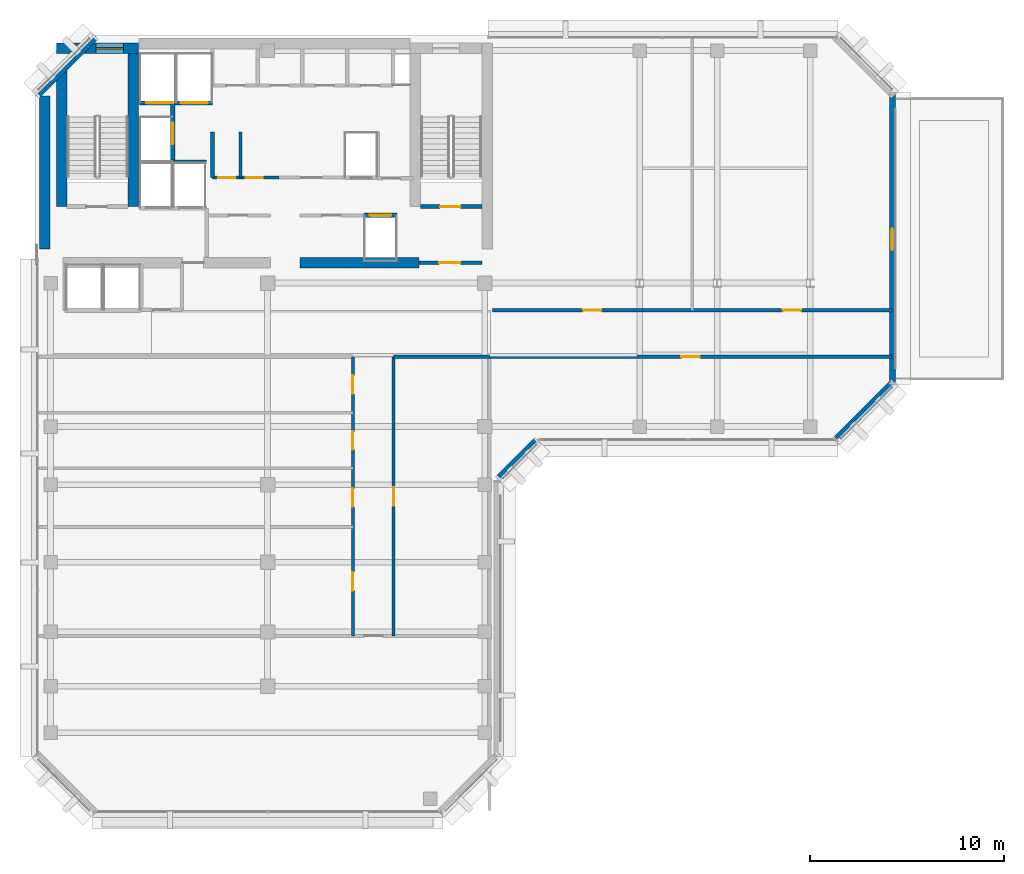
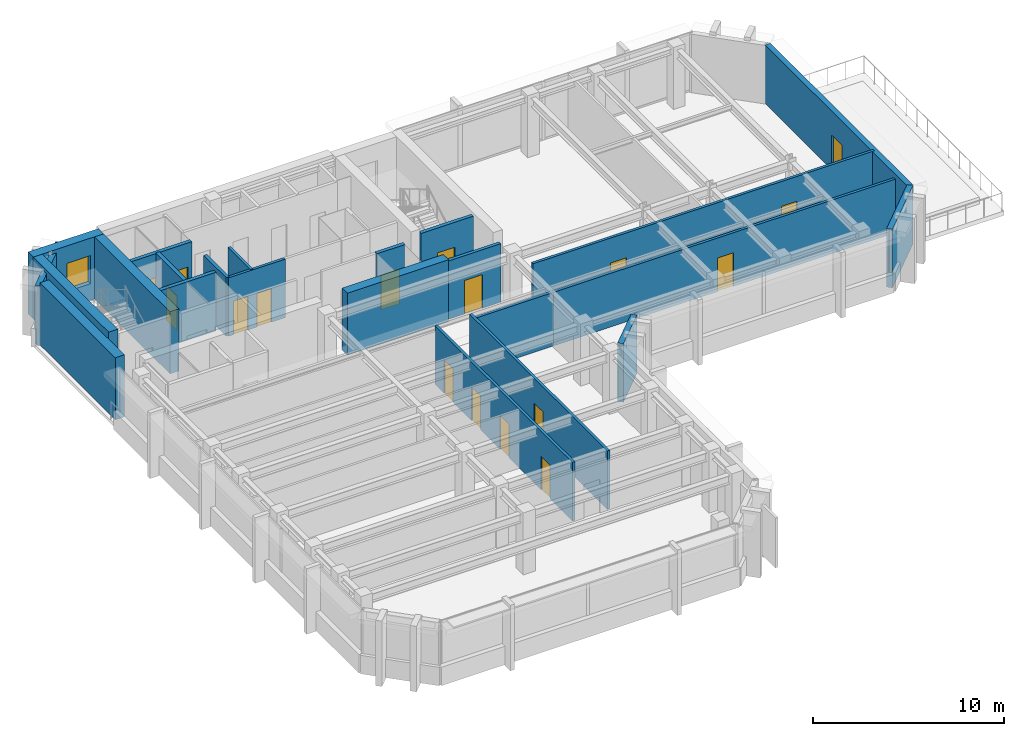
# One storey, part 6 of 11: 23 walls, 17 doors, 1 window, 18 openings.
"""IFC4 building model written with IfcOpenShell, lengths in metres."""

from ifc_helpers import new_model, si_unit, direction, frame, frame_2d, origin, place, context, subcontext, project, spatial, rectangle, extrude, material, layer, layer_set, type_object, element, fill, save


model = new_model("IFC4")

# Units and contexts
model_context = context("Model", 3, precision=1e-05, world=origin(), true_north=direction((0.0, 1.0)))
body_context = subcontext(model_context, "Body", "Model", "MODEL_VIEW")
ifc_project = project(units=[si_unit("LENGTHUNIT", "METRE"), si_unit("AREAUNIT", "SQUARE_METRE"), si_unit("VOLUMEUNIT", "CUBIC_METRE"), si_unit("PLANEANGLEUNIT", "RADIAN"), si_unit("MASSUNIT", "GRAM", prefix="KILO")], contexts=[model_context])

# Site, building, storey
site_placement = place(None, origin())
site = spatial("IfcSite", under=ifc_project, at=site_placement, CompositionType="ELEMENT")
building_placement = place(site_placement, origin())
building = spatial("IfcBuilding", under=site, at=building_placement, Name="Kefirva Bronze Tower", CompositionType="ELEMENT")
storey_placement = place(building_placement, frame((0.0, 0.0, 272.25)))
storey = spatial("IfcBuildingStorey", under=building, at=storey_placement, Name="L66", CompositionType="ELEMENT", Elevation=272.25)

# Wall, opening, door
ifc_material_1 = material(Name="Gypsum fireboard shaftwall")
ifc_layer_1 = layer(ifc_material_1, 0.219970703125, Name="Gypsum fireboard shaftwall")
ifc_layer_set_1 = layer_set([ifc_layer_1], Name="Gypsum fireboard shaftwall")
wall_type_1 = type_object("IfcWallType", Name="Fire-Rated Shaft Enclosure Wall 220mm", PredefinedType="PARTITIONING", material=ifc_layer_set_1)
wall_1_placement = place(storey_placement, frame((19.89990234375, 37.14990234375, 0.0), z_axis=(0.0, 0.0, 1.0), x_axis=(1.0, 0.0, 0.0)))
wall_1 = element("IfcWall", 1, at=wall_1_placement, inside=storey, type_object=wall_type_1, Name="L66 Partition W-L66-ST2S", PredefinedType="PARTITIONING", context=body_context, shape_type="SweptSolid", body=[
    extrude(rectangle(XDim=3.150146484375, YDim=0.219970703125, at=frame_2d((1.5751953125, 0.0))), origin(), (0.0, 0.0, 1.0), 3.739990234375),
])
opening_1_placement = place(wall_1_placement, frame((2.050048828125, 0.0, 0.0), z_axis=(0.0, 0.0, 1.0), x_axis=(-1.0, 0.0, 0.0)))
opening_1 = element("IfcOpeningElement", 2, at=opening_1_placement, cuts=wall_1, Name="Opening L66-D003", PredefinedType="OPENING", context=body_context, shape_type="SweptSolid", body=[
    extrude(rectangle(XDim=1.050048828125, YDim=2.14990234375, at=frame_2d((0.52490234375, 1.074951171875))), frame((0.0, 0.1201171875, 0.0), z_axis=(0.0, -1.0, 0.0), x_axis=(1.0, 0.0, 0.0)), (0.0, 0.0, 1.0), 0.239990234375),
])
ifc_material_2 = material(Name="Painted galvanized steel", Category="steel")
door_type_1 = type_object("IfcDoorType", Name="Fire Stair Enclosure Door 1050x2150 FD90S", OperationType="NOTDEFINED", PredefinedType="DOOR", material=ifc_material_2)
door_1_placement = place(opening_1_placement, origin())
door_1 = element("IfcDoor", 3, at=door_1_placement, inside=storey, type_object=door_type_1, Name="Door L66-D003", OperationType="SINGLE_SWING_RIGHT", OverallHeight=2.14990234375, OverallWidth=1.050048828125, PredefinedType="DOOR", context=body_context, shape_type="SweptSolid", body=[
    extrude(rectangle(XDim=1.050048828125, YDim=2.14990234375, at=frame_2d((0.52490234375, 1.074951171875))), frame((0.0, 0.02490234375, 0.0), z_axis=(0.0, -1.0, 0.0), x_axis=(1.0, 0.0, 0.0)), (0.0, 0.0, 1.0), 0.050048828125),
])
fill(opening_1, door_1)

# Wall
wall_2_placement = place(storey_placement, frame((5.3798828125, 39.449951171875, 0.0), z_axis=(0.0, 0.0, 1.0), x_axis=(1.0, 0.0, 0.0)))
element("IfcWall", 4, at=wall_2_placement, inside=storey, type_object=wall_type_1, Name="L66 Partition W-L66-FFN", PredefinedType="PARTITIONING", context=body_context, shape_type="SweptSolid", body=[
    extrude(rectangle(XDim=3.460205078125, YDim=0.219970703125, at=frame_2d((1.72998046875, 0.0))), origin(), (0.0, 0.0, 1.0), 3.739990234375),
])

# Wall, openings, doors
wall_3_placement = place(storey_placement, frame((5.3798828125, 42.5, 0.0), z_axis=(0.0, 0.0, 1.0), x_axis=(1.0, 0.0, 0.0)))
wall_3 = element("IfcWall", 5, at=wall_3_placement, inside=storey, type_object=wall_type_1, Name="L66 Partition W-L66-SVS", PredefinedType="PARTITIONING", context=body_context, shape_type="SweptSolid", body=[
    extrude(rectangle(XDim=3.77001953125, YDim=0.219970703125, at=frame_2d((1.885009765625, 0.0))), origin(), (0.0, 0.0, 1.0), 3.739990234375),
])
opening_2_placement = place(wall_3_placement, frame((1.75, 0.0, 0.0), z_axis=(0.0, 0.0, 1.0), x_axis=(-1.0, 0.0, 0.0)))
opening_2 = element("IfcOpeningElement", 6, at=opening_2_placement, cuts=wall_3, Name="Opening L66-LD-SV1", PredefinedType="OPENING", context=body_context, shape_type="SweptSolid", body=[
    extrude(rectangle(XDim=1.39990234375, YDim=2.199951171875, at=frame_2d((0.699951171875, 1.10009765625))), frame((0.0, 0.1201171875, 0.0), z_axis=(0.0, -1.0, 0.0), x_axis=(1.0, 0.0, 0.0)), (0.0, 0.0, 1.0), 0.239990234375),
])
opening_3_placement = place(wall_3_placement, frame((3.52978515625, 0.0, 0.0), z_axis=(0.0, 0.0, 1.0), x_axis=(-1.0, 0.0, 0.0)))
opening_3 = element("IfcOpeningElement", 7, at=opening_3_placement, cuts=wall_3, Name="Opening L66-LD-SV2", PredefinedType="OPENING", context=body_context, shape_type="SweptSolid", body=[
    extrude(rectangle(XDim=1.39990234375, YDim=2.199951171875, at=frame_2d((0.699951171875, 1.10009765625))), frame((0.0, 0.1201171875, 0.0), z_axis=(0.0, -1.0, 0.0), x_axis=(1.0, 0.0, 0.0)), (0.0, 0.0, 1.0), 0.239990234375),
])
ifc_material_3 = material(Name="Stainless steel 316", Category="steel")
door_type_2 = type_object("IfcDoorType", Name="Goods Lift Bi-Parting Sliding Door 1400x2200", OperationType="SLIDING_TO_LEFT", PredefinedType="DOOR", material=ifc_material_3)
door_2_placement = place(opening_2_placement, origin())
door_2 = element("IfcDoor", 8, at=door_2_placement, inside=storey, type_object=door_type_2, Name="Door L66-LD-SV1", OperationType="SLIDING_TO_LEFT", OverallHeight=2.199951171875, OverallWidth=1.39990234375, PredefinedType="DOOR", context=body_context, shape_type="SweptSolid", body=[
    extrude(rectangle(XDim=1.39990234375, YDim=2.199951171875, at=frame_2d((0.699951171875, 1.10009765625))), frame((0.0, 0.02490234375, 0.0), z_axis=(0.0, -1.0, 0.0), x_axis=(1.0, 0.0, 0.0)), (0.0, 0.0, 1.0), 0.050048828125),
])
fill(opening_2, door_2)
door_3_placement = place(opening_3_placement, origin())
door_3 = element("IfcDoor", 9, at=door_3_placement, inside=storey, type_object=door_type_2, Name="Door L66-LD-SV2", OperationType="SLIDING_TO_LEFT", OverallHeight=2.199951171875, OverallWidth=1.39990234375, PredefinedType="DOOR", context=body_context, shape_type="SweptSolid", body=[
    extrude(rectangle(XDim=1.39990234375, YDim=2.199951171875, at=frame_2d((0.699951171875, 1.10009765625))), frame((0.0, 0.02490234375, 0.0), z_axis=(0.0, -1.0, 0.0), x_axis=(1.0, 0.0, 0.0)), (0.0, 0.0, 1.0), 0.050048828125),
])
fill(opening_3, door_3)

# Wall, opening, door
wall_4_placement = place(storey_placement, frame((7.10009765625, 39.52001953125, 0.0), z_axis=(0.0, 0.0, 1.0), x_axis=(0.0, 1.0, 0.0)))
wall_4 = element("IfcWall", 10, at=wall_4_placement, inside=storey, type_object=wall_type_1, Name="L66 Partition W-L66-HP3E", PredefinedType="PARTITIONING", context=body_context, shape_type="SweptSolid", body=[
    extrude(rectangle(XDim=2.929931640625, YDim=0.219970703125, at=frame_2d((1.46484375, 0.0))), origin(), (0.0, 0.0, 1.0), 3.739990234375),
])
opening_4_placement = place(wall_4_placement, frame((0.85009765625, 0.0, 0.0)))
opening_4 = element("IfcOpeningElement", 11, at=opening_4_placement, cuts=wall_4, Name="Opening L66-LD-HP3", PredefinedType="OPENING", context=body_context, shape_type="SweptSolid", body=[
    extrude(rectangle(XDim=1.10009765625, YDim=2.199951171875, at=frame_2d((0.550048828125, 1.10009765625))), frame((0.0, 0.1201171875, 0.0), z_axis=(0.0, -1.0, 0.0), x_axis=(1.0, 0.0, 0.0)), (0.0, 0.0, 1.0), 0.239990234375),
])
door_type_3 = type_object("IfcDoorType", Name="Passenger Lift Sliding Landing Door 1100x2200", OperationType="SLIDING_TO_LEFT", PredefinedType="DOOR", material=ifc_material_3)
door_4_placement = place(opening_4_placement, origin())
door_4 = element("IfcDoor", 12, at=door_4_placement, inside=storey, type_object=door_type_3, Name="Door L66-LD-HP3", OperationType="SLIDING_TO_LEFT", OverallHeight=2.199951171875, OverallWidth=1.10009765625, PredefinedType="DOOR", context=body_context, shape_type="SweptSolid", body=[
    extrude(rectangle(XDim=1.10009765625, YDim=2.199951171875, at=frame_2d((0.550048828125, 1.10009765625))), frame((0.0, 0.02490234375, 0.0), z_axis=(0.0, -1.0, 0.0), x_axis=(1.0, 0.0, 0.0)), (0.0, 0.0, 1.0), 0.050048828125),
])
fill(opening_4, door_4)

# Wall
wall_5_placement = place(storey_placement, frame((9.159912109375, 38.64990234375, 0.0), z_axis=(0.0, 0.0, 1.0), x_axis=(0.0, 1.0, 0.0)))
element("IfcWall", 13, at=wall_5_placement, inside=storey, type_object=wall_type_1, Name="L66 Partition W-L66-LP3W", PredefinedType="PARTITIONING", context=body_context, shape_type="SweptSolid", body=[
    extrude(rectangle(XDim=2.35009765625, YDim=0.199951171875, at=frame_2d((1.175048828125, 0.0))), origin(), (0.0, 0.0, 1.0), 3.739990234375),
])

# Wall, opening, door
wall_6_placement = place(storey_placement, frame((16.97998046875, 36.699951171875, 0.0), z_axis=(0.0, 0.0, 1.0), x_axis=(1.0, 0.0, 0.0)))
wall_6 = element("IfcWall", 14, at=wall_6_placement, inside=storey, type_object=wall_type_1, Name="L66 Partition W-L66-HPS", PredefinedType="PARTITIONING", context=body_context, shape_type="SweptSolid", body=[
    extrude(rectangle(XDim=1.699951171875, YDim=0.219970703125, at=frame_2d((0.85009765625, 0.0))), origin(), (0.0, 0.0, 1.0), 3.739990234375),
])
opening_5_placement = place(wall_6_placement, frame((0.300048828125, 0.0, 0.0)))
opening_5 = element("IfcOpeningElement", 15, at=opening_5_placement, cuts=wall_6, Name="Opening L66-LD-HP1", PredefinedType="OPENING", context=body_context, shape_type="SweptSolid", body=[
    extrude(rectangle(XDim=1.10009765625, YDim=2.199951171875, at=frame_2d((0.550048828125, 1.10009765625))), frame((0.0, 0.1201171875, 0.0), z_axis=(0.0, -1.0, 0.0), x_axis=(1.0, 0.0, 0.0)), (0.0, 0.0, 1.0), 0.239990234375),
])
door_5_placement = place(opening_5_placement, origin())
door_5 = element("IfcDoor", 16, at=door_5_placement, inside=storey, type_object=door_type_3, Name="Door L66-LD-HP1", OperationType="SLIDING_TO_LEFT", OverallHeight=2.199951171875, OverallWidth=1.10009765625, PredefinedType="DOOR", context=body_context, shape_type="SweptSolid", body=[
    extrude(rectangle(XDim=1.10009765625, YDim=2.199951171875, at=frame_2d((0.550048828125, 1.10009765625))), frame((0.0, 0.02490234375, 0.0), z_axis=(0.0, -1.0, 0.0), x_axis=(1.0, 0.0, 0.0)), (0.0, 0.0, 1.0), 0.050048828125),
])
fill(opening_5, door_5)

ifc_material_4 = material(Name="Gypsum fireboard barrier")
ifc_layer_2 = layer(ifc_material_4, 0.199951171875, Name="Gypsum fireboard barrier")
ifc_layer_set_2 = layer_set([ifc_layer_2], Name="Gypsum fireboard barrier")
wall_type_2 = type_object("IfcWallType", Name="Firefighting Lobby Barrier Wall 200mm", PredefinedType="PARTITIONING", material=ifc_layer_set_2)
wall_7_placement = place(storey_placement, frame((19.800048828125, 34.25, 0.0), z_axis=(0.0, 0.0, 1.0), x_axis=(1.0, 0.0, 0.0)))
wall_7 = element("IfcWall", 17, at=wall_7_placement, inside=storey, type_object=wall_type_2, Name="L66 Partition W-L66-ST2F", PredefinedType="PARTITIONING", context=body_context, shape_type="SweptSolid", body=[
    extrude(rectangle(XDim=3.25, YDim=0.199951171875, at=frame_2d((1.625, 0.0))), origin(), (0.0, 0.0, 1.0), 3.739990234375),
])
opening_6_placement = place(wall_7_placement, frame((2.150146484375, 0.0, 0.0), z_axis=(0.0, 0.0, 1.0), x_axis=(-1.0, 0.0, 0.0)))
opening_6 = element("IfcOpeningElement", 18, at=opening_6_placement, cuts=wall_7, Name="Opening L66-D004", PredefinedType="OPENING", context=body_context, shape_type="SweptSolid", body=[
    extrude(rectangle(XDim=1.10009765625, YDim=2.14990234375, at=frame_2d((0.550048828125, 1.074951171875))), frame((0.0, 0.10986328125, 0.0), z_axis=(0.0, -1.0, 0.0), x_axis=(1.0, 0.0, 0.0)), (0.0, 0.0, 1.0), 0.219970703125),
])
door_type_4 = type_object("IfcDoorType", Name="Firefighting Lobby Smoke Door 1100x2150 FD60S", OperationType="NOTDEFINED", PredefinedType="DOOR", material=ifc_material_2)
door_6_placement = place(opening_6_placement, origin())
door_6 = element("IfcDoor", 19, at=door_6_placement, inside=storey, type_object=door_type_4, Name="Door L66-D004", OperationType="SINGLE_SWING_LEFT", OverallHeight=2.14990234375, OverallWidth=1.10009765625, PredefinedType="DOOR", context=body_context, shape_type="SweptSolid", body=[
    extrude(rectangle(XDim=1.10009765625, YDim=2.14990234375, at=frame_2d((0.550048828125, 1.074951171875))), frame((0.0, 0.02490234375, 0.0), z_axis=(0.0, -1.0, 0.0), x_axis=(1.0, 0.0, 0.0)), (0.0, 0.0, 1.0), 0.050048828125),
])
fill(opening_6, door_6)

# Walls
ifc_material_5 = material(Name="Precast concrete C40/50", Category="concrete")
ifc_layer_3 = layer(ifc_material_5, 0.320068359375, Name="Precast concrete C40/50")
ifc_layer_set_3 = layer_set([ifc_layer_3], Name="Precast concrete C40/50")
wall_type_3 = type_object("IfcWallType", Name="Precast Insulated Exterior Wall 320mm", PredefinedType="SOLIDWALL", material=ifc_layer_set_3)
wall_8_placement = place(storey_placement, frame((23.92578125, 23.152099609375, 0.0), z_axis=(0.0, 0.0, 1.0), x_axis=(0.707106781187, 0.707106781187, 0.0)))
element("IfcWall", 20, at=wall_8_placement, inside=storey, type_object=wall_type_3, Name="L66 Exterior Facade Wall 3", PredefinedType="SOLIDWALL", context=body_context, shape_type="SweptSolid", body=[
    extrude(rectangle(XDim=2.71826171875, YDim=0.320068359375, at=frame_2d((1.359130859375, 0.0))), origin(), (0.0, 0.0, 1.0), 3.739990234375),
])
wall_9_placement = place(storey_placement, frame((41.32568359375, 25.152099609375, 0.0), z_axis=(0.0, 0.0, 1.0), x_axis=(0.707136318428, 0.707077242712, 0.0)))
element("IfcWall", 21, at=wall_9_placement, inside=storey, type_object=wall_type_3, Name="L66 Exterior Facade Wall 4", PredefinedType="SOLIDWALL", context=body_context, shape_type="SweptSolid", body=[
    extrude(rectangle(XDim=4.132568359375, YDim=0.320068359375, at=frame_2d((2.06640625, 0.0))), origin(), (0.0, 0.0, 1.0), 3.739990234375),
])

# Wall, opening, door
wall_10_placement = place(storey_placement, frame((44.239990234375, 28.054931640625, 0.0), z_axis=(0.0, 0.0, 1.0), x_axis=(0.0, 1.0, 0.0)))
wall_10 = element("IfcWall", 22, at=wall_10_placement, inside=storey, type_object=wall_type_3, Name="L66 Exterior Facade Wall 5", PredefinedType="SOLIDWALL", context=body_context, shape_type="SweptSolid", body=[
    extrude(rectangle(XDim=14.89013671875, YDim=0.320068359375, at=frame_2d((7.445068359375, 0.0))), origin(), (0.0, 0.0, 1.0), 3.739990234375),
])
opening_7_placement = place(wall_10_placement, frame((7.945068359375, 0.0, 0.0), z_axis=(0.0, 0.0, 1.0), x_axis=(-1.0, 0.0, 0.0)))
opening_7 = element("IfcOpeningElement", 23, at=opening_7_placement, cuts=wall_10, Name="Opening D-TR1", PredefinedType="OPENING", context=body_context, shape_type="SweptSolid", body=[
    extrude(rectangle(XDim=1.10009765625, YDim=2.199951171875, at=frame_2d((0.550048828125, 1.10009765625))), frame((0.0, 0.169921875, 0.0), z_axis=(0.0, -1.0, 0.0), x_axis=(1.0, 0.0, 0.0)), (0.0, 0.0, 1.0), 0.340087890625),
])
ifc_material_6 = material(Name="Bronze anodised aluminium", Category="aluminium")
door_type_5 = type_object("IfcDoorType", Name="Exterior Sky-Terrace Glazed Door 1100x2200", OperationType="NOTDEFINED", PredefinedType="DOOR", material=ifc_material_6)
door_7_placement = place(opening_7_placement, origin())
door_7 = element("IfcDoor", 24, at=door_7_placement, inside=storey, type_object=door_type_5, Name="L66 Sky-Garden Terrace Access Door", OperationType="SINGLE_SWING_LEFT", OverallHeight=2.199951171875, OverallWidth=1.10009765625, PredefinedType="DOOR", context=body_context, shape_type="SweptSolid", body=[
    extrude(rectangle(XDim=1.10009765625, YDim=2.199951171875, at=frame_2d((0.550048828125, 1.10009765625))), frame((0.0, 0.02490234375, 0.0), z_axis=(0.0, -1.0, 0.0), x_axis=(1.0, 0.0, 0.0)), (0.0, 0.0, 1.0), 0.050048828125),
])
fill(opening_7, door_7)

# Wall
wall_11_placement = place(storey_placement, frame((3.07421875, 45.847900390625, 0.0), z_axis=(0.0, 0.0, 1.0), x_axis=(-0.707106781187, -0.707106781187, 0.0)))
element("IfcWall", 25, at=wall_11_placement, inside=storey, type_object=wall_type_3, Name="L66 Exterior Facade Wall 7", PredefinedType="SOLIDWALL", context=body_context, shape_type="SweptSolid", body=[
    extrude(rectangle(XDim=4.132568359375, YDim=0.320068359375, at=frame_2d((2.06640625, 0.0))), origin(), (0.0, 0.0, 1.0), 3.739990234375),
])

# Wall, openings, doors
ifc_material_7 = material(Name="Gypsum acoustic partition")
ifc_layer_4 = layer(ifc_material_7, 0.159912109375, Name="Gypsum acoustic partition")
ifc_layer_set_4 = layer_set([ifc_layer_4], Name="Gypsum acoustic partition")
wall_type_4 = type_object("IfcWallType", Name="Protected Corridor Partition 160mm", PredefinedType="PARTITIONING", material=ifc_layer_set_4)
wall_12_placement = place(storey_placement, frame((9.159912109375, 38.64990234375, 0.0), z_axis=(0.0, 0.0, 1.0), x_axis=(1.0, 0.0, 0.0)))
wall_12 = element("IfcWall", 26, at=wall_12_placement, inside=storey, type_object=wall_type_4, Name="L66 Partition W-L66-RECLP2", PredefinedType="PARTITIONING", context=body_context, shape_type="SweptSolid", body=[
    extrude(rectangle(XDim=3.420166015625, YDim=0.159912109375, at=frame_2d((1.7099609375, 0.0))), origin(), (0.0, 0.0, 1.0), 3.739990234375),
])
opening_8_placement = place(wall_12_placement, frame((1.179931640625, 0.0, 0.0), z_axis=(0.0, 0.0, 1.0), x_axis=(-1.0, 0.0, 0.0)))
opening_8 = element("IfcOpeningElement", 27, at=opening_8_placement, cuts=wall_12, Name="Opening L66-D-RECLP2A", PredefinedType="OPENING", context=body_context, shape_type="SweptSolid", body=[
    extrude(rectangle(XDim=0.89990234375, YDim=2.14990234375, at=frame_2d((0.449951171875, 1.074951171875))), frame((0.0, 0.08984375, 0.0), z_axis=(0.0, -1.0, 0.0), x_axis=(1.0, 0.0, 0.0)), (0.0, 0.0, 1.0), 0.179931640625),
])
opening_9_placement = place(wall_12_placement, frame((2.599853515625, 0.0, 0.0), z_axis=(0.0, 0.0, 1.0), x_axis=(-1.0, 0.0, 0.0)))
opening_9 = element("IfcOpeningElement", 28, at=opening_9_placement, cuts=wall_12, Name="Opening L66-D-RECLP2B", PredefinedType="OPENING", context=body_context, shape_type="SweptSolid", body=[
    extrude(rectangle(XDim=0.89990234375, YDim=2.14990234375, at=frame_2d((0.449951171875, 1.074951171875))), frame((0.0, 0.08984375, 0.0), z_axis=(0.0, -1.0, 0.0), x_axis=(1.0, 0.0, 0.0)), (0.0, 0.0, 1.0), 0.179931640625),
])
door_type_6 = type_object("IfcDoorType", Name="Core Archive & Server Fire Door 900x2150 FD60S", OperationType="NOTDEFINED", PredefinedType="DOOR", material=ifc_material_2)
door_8_placement = place(opening_8_placement, origin())
door_8 = element("IfcDoor", 29, at=door_8_placement, inside=storey, type_object=door_type_6, Name="Door L66-D-RECLP2A", OperationType="SINGLE_SWING_LEFT", OverallHeight=2.14990234375, OverallWidth=0.89990234375, PredefinedType="DOOR", context=body_context, shape_type="SweptSolid", body=[
    extrude(rectangle(XDim=0.89990234375, YDim=2.14990234375, at=frame_2d((0.449951171875, 1.074951171875))), frame((0.0, 0.02490234375, 0.0), z_axis=(0.0, -1.0, 0.0), x_axis=(1.0, 0.0, 0.0)), (0.0, 0.0, 1.0), 0.050048828125),
])
fill(opening_8, door_8)
door_9_placement = place(opening_9_placement, origin())
door_9 = element("IfcDoor", 30, at=door_9_placement, inside=storey, type_object=door_type_6, Name="Door L66-D-RECLP2B", OperationType="SINGLE_SWING_RIGHT", OverallHeight=2.14990234375, OverallWidth=0.89990234375, PredefinedType="DOOR", context=body_context, shape_type="SweptSolid", body=[
    extrude(rectangle(XDim=0.89990234375, YDim=2.14990234375, at=frame_2d((0.449951171875, 1.074951171875))), frame((0.0, 0.02490234375, 0.0), z_axis=(0.0, -1.0, 0.0), x_axis=(1.0, 0.0, 0.0)), (0.0, 0.0, 1.0), 0.050048828125),
])
fill(opening_9, door_9)

# Wall
wall_13_placement = place(storey_placement, frame((10.60009765625, 38.64990234375, 0.0), z_axis=(0.0, 0.0, 1.0), x_axis=(0.0, 1.0, 0.0)))
element("IfcWall", 31, at=wall_13_placement, inside=storey, type_object=wall_type_4, Name="L66 Partition W-L66-RECLP2D", PredefinedType="PARTITIONING", context=body_context, shape_type="SweptSolid", body=[
    extrude(rectangle(XDim=2.35009765625, YDim=0.159912109375, at=frame_2d((1.175048828125, 0.0))), origin(), (0.0, 0.0, 1.0), 3.739990234375),
])

# Wall, openings, doors
wall_14_placement = place(storey_placement, frame((16.39990234375, 15.0, 0.0), z_axis=(0.0, 0.0, 1.0), x_axis=(0.0, 1.0, 0.0)))
wall_14 = element("IfcWall", 32, at=wall_14_placement, inside=storey, type_object=wall_type_4, Name="L66 Partition W-L66-SWCORW", PredefinedType="PARTITIONING", context=body_context, shape_type="SweptSolid", body=[
    extrude(rectangle(XDim=14.39990234375, YDim=0.159912109375, at=frame_2d((7.199951171875, 0.0))), origin(), (0.0, 0.0, 1.0), 3.739990234375),
])
opening_10_placement = place(wall_14_placement, frame((3.282958984375, 0.0, 0.0), z_axis=(0.0, 0.0, 1.0), x_axis=(-1.0, 0.0, 0.0)))
opening_10 = element("IfcOpeningElement", 33, at=opening_10_placement, cuts=wall_14, Name="Opening L66-D-SW1", PredefinedType="OPENING", context=body_context, shape_type="SweptSolid", body=[
    extrude(rectangle(XDim=0.949951171875, YDim=2.14990234375, at=frame_2d((0.47509765625, 1.074951171875))), frame((0.0, 0.08984375, 0.0), z_axis=(0.0, -1.0, 0.0), x_axis=(1.0, 0.0, 0.0)), (0.0, 0.0, 1.0), 0.179931640625),
])
opening_11_placement = place(wall_14_placement, frame((7.60302734375, 0.0, 0.0), z_axis=(0.0, 0.0, 1.0), x_axis=(-1.0, 0.0, 0.0)))
opening_11 = element("IfcOpeningElement", 34, at=opening_11_placement, cuts=wall_14, Name="Opening L66-D-SW2", PredefinedType="OPENING", context=body_context, shape_type="SweptSolid", body=[
    extrude(rectangle(XDim=0.949951171875, YDim=2.14990234375, at=frame_2d((0.47509765625, 1.074951171875))), frame((0.0, 0.08984375, 0.0), z_axis=(0.0, -1.0, 0.0), x_axis=(1.0, 0.0, 0.0)), (0.0, 0.0, 1.0), 0.179931640625),
])
opening_12_placement = place(wall_14_placement, frame((10.554931640625, 0.0, 0.0), z_axis=(0.0, 0.0, 1.0), x_axis=(-1.0, 0.0, 0.0)))
opening_12 = element("IfcOpeningElement", 35, at=opening_12_placement, cuts=wall_14, Name="Opening L66-D-SW3", PredefinedType="OPENING", context=body_context, shape_type="SweptSolid", body=[
    extrude(rectangle(XDim=0.949951171875, YDim=2.14990234375, at=frame_2d((0.47509765625, 1.074951171875))), frame((0.0, 0.08984375, 0.0), z_axis=(0.0, -1.0, 0.0), x_axis=(1.0, 0.0, 0.0)), (0.0, 0.0, 1.0), 0.179931640625),
])
opening_13_placement = place(wall_14_placement, frame((13.43505859375, 0.0, 0.0), z_axis=(0.0, 0.0, 1.0), x_axis=(-1.0, 0.0, 0.0)))
opening_13 = element("IfcOpeningElement", 36, at=opening_13_placement, cuts=wall_14, Name="Opening L66-D-SW4", PredefinedType="OPENING", context=body_context, shape_type="SweptSolid", body=[
    extrude(rectangle(XDim=0.949951171875, YDim=2.14990234375, at=frame_2d((0.47509765625, 1.074951171875))), frame((0.0, 0.08984375, 0.0), z_axis=(0.0, -1.0, 0.0), x_axis=(1.0, 0.0, 0.0)), (0.0, 0.0, 1.0), 0.179931640625),
])
ifc_material_8 = material(Name="Acoustic hardwood oak", Category="wood")
door_type_7 = type_object("IfcDoorType", Name="Office & Meeting Room Door 950x2150", OperationType="NOTDEFINED", PredefinedType="DOOR", material=ifc_material_8)
door_10_placement = place(opening_10_placement, origin())
door_10 = element("IfcDoor", 37, at=door_10_placement, inside=storey, type_object=door_type_7, Name="Door L66-D-SW1", OperationType="SINGLE_SWING_RIGHT", OverallHeight=2.14990234375, OverallWidth=0.949951171875, PredefinedType="DOOR", context=body_context, shape_type="SweptSolid", body=[
    extrude(rectangle(XDim=0.949951171875, YDim=2.14990234375, at=frame_2d((0.47509765625, 1.074951171875))), frame((0.0, 0.02490234375, 0.0), z_axis=(0.0, -1.0, 0.0), x_axis=(1.0, 0.0, 0.0)), (0.0, 0.0, 1.0), 0.050048828125),
])
fill(opening_10, door_10)
door_11_placement = place(opening_11_placement, origin())
door_11 = element("IfcDoor", 38, at=door_11_placement, inside=storey, type_object=door_type_7, Name="Door L66-D-SW2", OperationType="SINGLE_SWING_LEFT", OverallHeight=2.14990234375, OverallWidth=0.949951171875, PredefinedType="DOOR", context=body_context, shape_type="SweptSolid", body=[
    extrude(rectangle(XDim=0.949951171875, YDim=2.14990234375, at=frame_2d((0.47509765625, 1.074951171875))), frame((0.0, 0.02490234375, 0.0), z_axis=(0.0, -1.0, 0.0), x_axis=(1.0, 0.0, 0.0)), (0.0, 0.0, 1.0), 0.050048828125),
])
fill(opening_11, door_11)
door_12_placement = place(opening_12_placement, origin())
door_12 = element("IfcDoor", 39, at=door_12_placement, inside=storey, type_object=door_type_7, Name="Door L66-D-SW3", OperationType="SINGLE_SWING_RIGHT", OverallHeight=2.14990234375, OverallWidth=0.949951171875, PredefinedType="DOOR", context=body_context, shape_type="SweptSolid", body=[
    extrude(rectangle(XDim=0.949951171875, YDim=2.14990234375, at=frame_2d((0.47509765625, 1.074951171875))), frame((0.0, 0.02490234375, 0.0), z_axis=(0.0, -1.0, 0.0), x_axis=(1.0, 0.0, 0.0)), (0.0, 0.0, 1.0), 0.050048828125),
])
fill(opening_12, door_12)
door_13_placement = place(opening_13_placement, origin())
door_13 = element("IfcDoor", 40, at=door_13_placement, inside=storey, type_object=door_type_7, Name="Door L66-D-SW4", OperationType="SINGLE_SWING_LEFT", OverallHeight=2.14990234375, OverallWidth=0.949951171875, PredefinedType="DOOR", context=body_context, shape_type="SweptSolid", body=[
    extrude(rectangle(XDim=0.949951171875, YDim=2.14990234375, at=frame_2d((0.47509765625, 1.074951171875))), frame((0.0, 0.02490234375, 0.0), z_axis=(0.0, -1.0, 0.0), x_axis=(1.0, 0.0, 0.0)), (0.0, 0.0, 1.0), 0.050048828125),
])
fill(opening_13, door_13)

# Wall, opening, door
wall_15_placement = place(storey_placement, frame((18.5, 15.0, 0.0), z_axis=(0.0, 0.0, 1.0), x_axis=(0.0, 1.0, 0.0)))
wall_15 = element("IfcWall", 41, at=wall_15_placement, inside=storey, type_object=wall_type_4, Name="L66 Partition W-L66-SECORE", PredefinedType="PARTITIONING", context=body_context, shape_type="SweptSolid", body=[
    extrude(rectangle(XDim=14.39990234375, YDim=0.159912109375, at=frame_2d((7.199951171875, 0.0))), origin(), (0.0, 0.0, 1.0), 3.739990234375),
])
opening_14_placement = place(wall_15_placement, frame((6.72509765625, 0.0, 0.0)))
opening_14 = element("IfcOpeningElement", 42, at=opening_14_placement, cuts=wall_15, Name="Opening L66-D-SE1", PredefinedType="OPENING", context=body_context, shape_type="SweptSolid", body=[
    extrude(rectangle(XDim=0.949951171875, YDim=2.14990234375, at=frame_2d((0.47509765625, 1.074951171875))), frame((0.0, 0.08984375, 0.0), z_axis=(0.0, -1.0, 0.0), x_axis=(1.0, 0.0, 0.0)), (0.0, 0.0, 1.0), 0.179931640625),
])
door_14_placement = place(opening_14_placement, origin())
door_14 = element("IfcDoor", 43, at=door_14_placement, inside=storey, type_object=door_type_7, Name="Door L66-D-SE1", OperationType="SINGLE_SWING_RIGHT", OverallHeight=2.14990234375, OverallWidth=0.949951171875, PredefinedType="DOOR", context=body_context, shape_type="SweptSolid", body=[
    extrude(rectangle(XDim=0.949951171875, YDim=2.14990234375, at=frame_2d((0.47509765625, 1.074951171875))), frame((0.0, 0.02490234375, 0.0), z_axis=(0.0, -1.0, 0.0), x_axis=(1.0, 0.0, 0.0)), (0.0, 0.0, 1.0), 0.050048828125),
])
fill(opening_14, door_14)

# Wall
wall_16_placement = place(storey_placement, frame((18.5, 29.39990234375, 0.0), z_axis=(0.0, 0.0, 1.0), x_axis=(1.0, 0.0, 0.0)))
element("IfcWall", 44, at=wall_16_placement, inside=storey, type_object=wall_type_4, Name="L66 Partition W-L66-NET", PredefinedType="PARTITIONING", context=body_context, shape_type="SweptSolid", body=[
    extrude(rectangle(XDim=4.949951171875, YDim=0.159912109375, at=frame_2d((2.47509765625, 0.0))), origin(), (0.0, 0.0, 1.0), 3.425048828125),
])

# Wall, opening, door
wall_17_placement = place(storey_placement, frame((23.449951171875, 29.39990234375, 0.0), z_axis=(0.0, 0.0, 1.0), x_axis=(1.0, 0.0, 0.0)))
wall_17 = element("IfcWall", 45, at=wall_17_placement, inside=storey, type_object=wall_type_4, Name="L66 Partition W-L66-EWS", PredefinedType="PARTITIONING", context=body_context, shape_type="SweptSolid", body=[
    extrude(rectangle(XDim=20.760009765625, YDim=0.159912109375, at=frame_2d((10.3798828125, 0.0))), origin(), (0.0, 0.0, 1.0), 3.425048828125),
])
opening_15_placement = place(wall_17_placement, frame((10.85498046875, 0.0, 0.0), z_axis=(0.0, 0.0, 1.0), x_axis=(-1.0, 0.0, 0.0)))
opening_15 = element("IfcOpeningElement", 46, at=opening_15_placement, cuts=wall_17, Name="Opening L66-D-ES1", PredefinedType="OPENING", context=body_context, shape_type="SweptSolid", body=[
    extrude(rectangle(XDim=0.949951171875, YDim=2.14990234375, at=frame_2d((0.47509765625, 1.074951171875))), frame((0.0, 0.08984375, 0.0), z_axis=(0.0, -1.0, 0.0), x_axis=(1.0, 0.0, 0.0)), (0.0, 0.0, 1.0), 0.179931640625),
])
door_15_placement = place(opening_15_placement, origin())
door_15 = element("IfcDoor", 47, at=door_15_placement, inside=storey, type_object=door_type_7, Name="Door L66-D-ES1", OperationType="SINGLE_SWING_LEFT", OverallHeight=2.14990234375, OverallWidth=0.949951171875, PredefinedType="DOOR", context=body_context, shape_type="SweptSolid", body=[
    extrude(rectangle(XDim=0.949951171875, YDim=2.14990234375, at=frame_2d((0.47509765625, 1.074951171875))), frame((0.0, 0.02490234375, 0.0), z_axis=(0.0, -1.0, 0.0), x_axis=(1.0, 0.0, 0.0)), (0.0, 0.0, 1.0), 0.050048828125),
])
fill(opening_15, door_15)

# Wall, openings, doors
wall_18_placement = place(storey_placement, frame((23.60009765625, 31.800048828125, 0.0), z_axis=(0.0, 0.0, 1.0), x_axis=(1.0, 0.0, 0.0)))
wall_18 = element("IfcWall", 48, at=wall_18_placement, inside=storey, type_object=wall_type_4, Name="L66 Partition W-L66-EWN", PredefinedType="PARTITIONING", context=body_context, shape_type="SweptSolid", body=[
    extrude(rectangle(XDim=20.60986328125, YDim=0.159912109375, at=frame_2d((10.304931640625, 0.0))), origin(), (0.0, 0.0, 1.0), 3.739990234375),
])
opening_16_placement = place(wall_18_placement, frame((4.677490234375, 0.0, 0.0)))
opening_16 = element("IfcOpeningElement", 49, at=opening_16_placement, cuts=wall_18, Name="Opening L66-D-EN1", PredefinedType="OPENING", context=body_context, shape_type="SweptSolid", body=[
    extrude(rectangle(XDim=0.949951171875, YDim=2.14990234375, at=frame_2d((0.47509765625, 1.074951171875))), frame((0.0, 0.08984375, 0.0), z_axis=(0.0, -1.0, 0.0), x_axis=(1.0, 0.0, 0.0)), (0.0, 0.0, 1.0), 0.179931640625),
])
opening_17_placement = place(wall_18_placement, frame((14.982421875, 0.0, 0.0)))
opening_17 = element("IfcOpeningElement", 50, at=opening_17_placement, cuts=wall_18, Name="Opening L66-D-EN2", PredefinedType="OPENING", context=body_context, shape_type="SweptSolid", body=[
    extrude(rectangle(XDim=0.949951171875, YDim=2.14990234375, at=frame_2d((0.47509765625, 1.074951171875))), frame((0.0, 0.08984375, 0.0), z_axis=(0.0, -1.0, 0.0), x_axis=(1.0, 0.0, 0.0)), (0.0, 0.0, 1.0), 0.179931640625),
])
door_16_placement = place(opening_16_placement, origin())
door_16 = element("IfcDoor", 51, at=door_16_placement, inside=storey, type_object=door_type_7, Name="Door L66-D-EN1", OperationType="SINGLE_SWING_RIGHT", OverallHeight=2.14990234375, OverallWidth=0.949951171875, PredefinedType="DOOR", context=body_context, shape_type="SweptSolid", body=[
    extrude(rectangle(XDim=0.949951171875, YDim=2.14990234375, at=frame_2d((0.47509765625, 1.074951171875))), frame((0.0, 0.02490234375, 0.0), z_axis=(0.0, -1.0, 0.0), x_axis=(1.0, 0.0, 0.0)), (0.0, 0.0, 1.0), 0.050048828125),
])
fill(opening_16, door_16)
door_17_placement = place(opening_17_placement, origin())
door_17 = element("IfcDoor", 52, at=door_17_placement, inside=storey, type_object=door_type_7, Name="Door L66-D-EN2", OperationType="SINGLE_SWING_LEFT", OverallHeight=2.14990234375, OverallWidth=0.949951171875, PredefinedType="DOOR", context=body_context, shape_type="SweptSolid", body=[
    extrude(rectangle(XDim=0.949951171875, YDim=2.14990234375, at=frame_2d((0.47509765625, 1.074951171875))), frame((0.0, 0.02490234375, 0.0), z_axis=(0.0, -1.0, 0.0), x_axis=(1.0, 0.0, 0.0)), (0.0, 0.0, 1.0), 0.050048828125),
])
fill(opening_17, door_17)

# Wall
ifc_material_9 = material(Name="Concrete C50/60", Category="concrete")
ifc_layer_5 = layer(ifc_material_9, 0.550048828125, Name="Concrete C50/60")
ifc_layer_set_5 = layer_set([ifc_layer_5], Name="Concrete C50/60")
wall_type_5 = type_object("IfcWallType", Name="RC Rear Core Exterior Wall 550mm", PredefinedType="SHEAR", material=ifc_layer_set_5)
wall_19_placement = place(storey_placement, frame((0.5, 34.949951171875, 0.0), z_axis=(0.0, 0.0, 1.0), x_axis=(0.0, 1.0, 0.0)))
element("IfcWall", 53, at=wall_19_placement, inside=storey, type_object=wall_type_5, Name="L66 Rear Core West Shear Wall", PredefinedType="SHEAR", context=body_context, shape_type="SweptSolid", body=[
    extrude(rectangle(XDim=7.900146484375, YDim=0.550048828125, at=frame_2d((3.9501953125, 0.0))), origin(), (0.0, 0.0, 1.0), 3.9599609375),
])

# Wall, opening, window
wall_20_placement = place(storey_placement, frame((1.10009765625, 45.320068359375, 0.0), z_axis=(0.0, 0.0, 1.0), x_axis=(1.0, 0.0, 0.0)))
wall_20 = element("IfcWall", 54, at=wall_20_placement, inside=storey, type_object=wall_type_5, Name="L66 Stair 1 North Shear Wall", PredefinedType="SHEAR", context=body_context, shape_type="SweptSolid", body=[
    extrude(rectangle(XDim=4.239990234375, YDim=0.550048828125, at=frame_2d((2.1201171875, 0.0))), origin(), (0.0, 0.0, 1.0), 3.9599609375),
])
opening_18_placement = place(wall_20_placement, frame((2.050048828125, 0.0, 1.050048828125)))
opening_18 = element("IfcOpeningElement", 55, at=opening_18_placement, cuts=wall_20, Name="Opening WN-03", PredefinedType="OPENING", context=body_context, shape_type="SweptSolid", body=[
    extrude(rectangle(XDim=1.39990234375, YDim=1.800048828125, at=frame_2d((0.699951171875, 0.89990234375))), frame((0.0, 0.28515625, 0.0), z_axis=(0.0, -1.0, 0.0), x_axis=(1.0, 0.0, 0.0)), (0.0, 0.0, 1.0), 0.570068359375),
])
ifc_material_10 = material(Name="Laminated low-E double glazing", Category="glass")
window_type = type_object("IfcWindowType", Name="Rear-Core Stair Daylight Window 1400x1800", PartitioningType="SINGLE_PANEL", PredefinedType="WINDOW", material=ifc_material_10)
window_placement = place(opening_18_placement, origin())
window = element("IfcWindow", 56, at=window_placement, inside=storey, type_object=window_type, Name="L66 Stair 1 Daylight Window", OverallHeight=1.800048828125, OverallWidth=1.39990234375, PartitioningType="SINGLE_PANEL", PredefinedType="WINDOW", context=body_context, shape_type="SweptSolid", body=[
    extrude(rectangle(XDim=1.39990234375, YDim=1.800048828125, at=frame_2d((0.699951171875, 0.89990234375))), frame((0.0, 0.030029296875, 0.0), z_axis=(0.0, -1.0, 0.0), x_axis=(1.0, 0.0, 0.0)), (0.0, 0.0, 1.0), 0.06005859375),
])
fill(opening_18, window)

# Walls
ifc_layer_6 = layer(ifc_material_9, 0.550048828125, Name="Concrete C50/60")
ifc_layer_set_6 = layer_set([ifc_layer_6], Name="Concrete C50/60")
wall_type_6 = type_object("IfcWallType", Name="RC Rear Core Interior Wall 550mm", PredefinedType="SHEAR", material=ifc_layer_set_6)
wall_21_placement = place(storey_placement, frame((13.679931640625, 34.25, 0.0), z_axis=(0.0, 0.0, 1.0), x_axis=(1.0, 0.0, 0.0)))
element("IfcWall", 57, at=wall_21_placement, inside=storey, type_object=wall_type_6, Name="L66 Rear Core South-East Shear Wall", PredefinedType="SHEAR", context=body_context, shape_type="SweptSolid", body=[
    extrude(rectangle(XDim=6.1201171875, YDim=0.550048828125, at=frame_2d((3.06005859375, 0.0))), origin(), (0.0, 0.0, 1.0), 3.9599609375),
])
for number, where, z_axis, x_axis, name in (
    (58, (1.3701171875, 37.14990234375, 0.0), (0.0, 0.0, 1.0), (0.0, 1.0, 0.0), "L66 Stair 1 West Shear Wall"),
    (59, (5.070068359375, 37.14990234375, 0.0), (0.0, 0.0, 1.0), (0.0, 1.0, 0.0), "L66 Stair 1 East Shear Wall"),
):
    element("IfcWall", number, at=place(storey_placement, frame(where, z_axis=z_axis, x_axis=x_axis)), inside=storey, type_object=wall_type_6, Name=name, PredefinedType="SHEAR", context=body_context, shape_type="SweptSolid", body=[
        extrude(rectangle(XDim=7.89013671875, YDim=0.550048828125, at=frame_2d((3.945068359375, 0.0))), origin(), (0.0, 0.0, 1.0), 3.9599609375),
    ])

save(model, "model.ifc")
